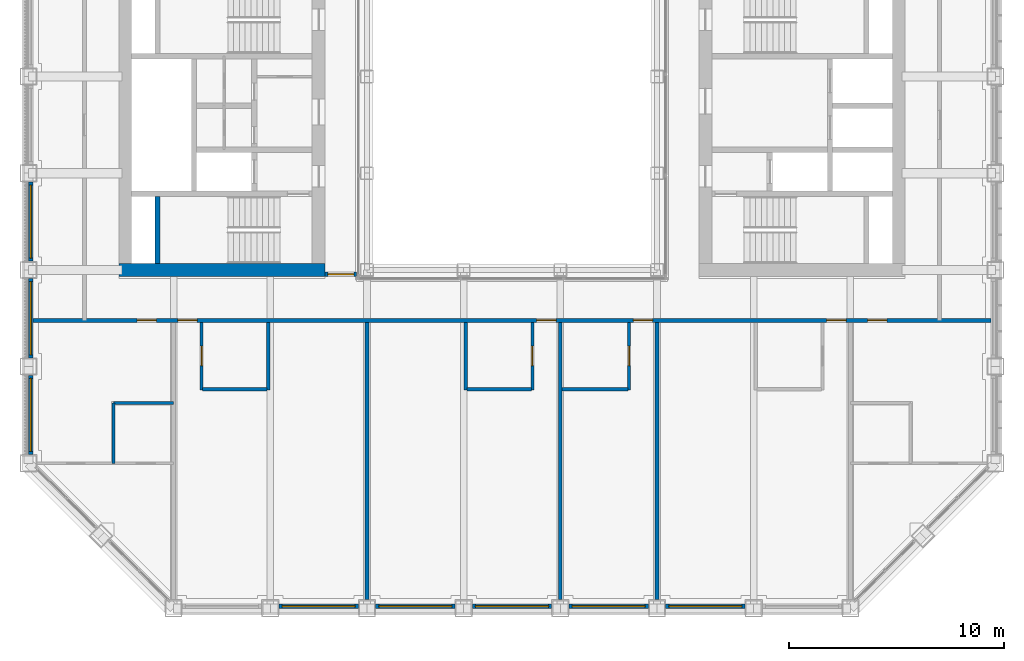
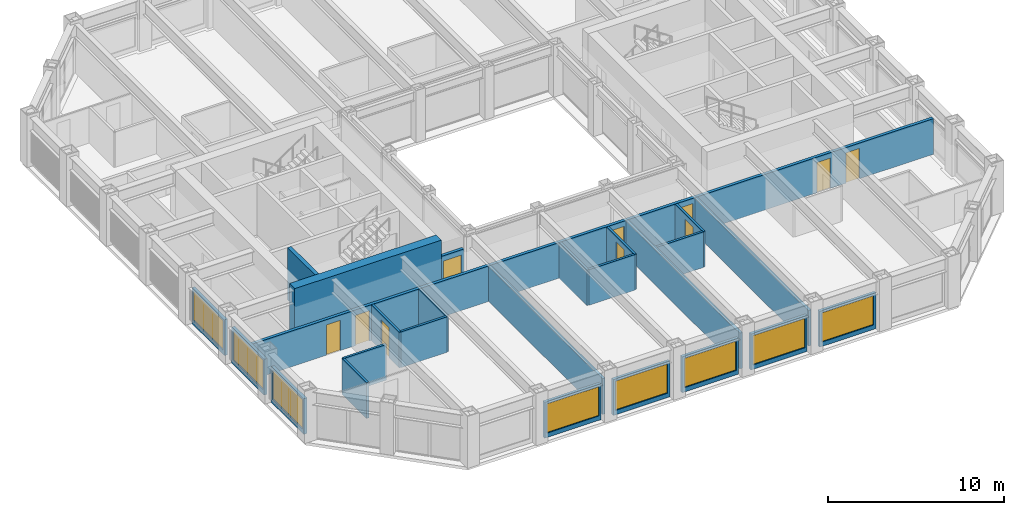
# One storey, part 10 of 17: 25 walls, 10 doors, 8 windows, 18 openings.
"""IFC4 building model written with IfcOpenShell, lengths in metres."""

from ifc_helpers import new_model, si_unit, direction, frame, frame_2d, origin, place, context, subcontext, project, spatial, rectangle, extrude, material, layer, layer_set, type_object, element, fill, save


model = new_model("IFC4")

# Units and contexts
model_context = context("Model", 3, precision=1e-05, world=origin(), true_north=direction((0.0, 1.0)))
body_context = subcontext(model_context, "Body", "Model", "MODEL_VIEW")
ifc_project = project(units=[si_unit("LENGTHUNIT", "METRE"), si_unit("AREAUNIT", "SQUARE_METRE"), si_unit("VOLUMEUNIT", "CUBIC_METRE"), si_unit("PLANEANGLEUNIT", "RADIAN"), si_unit("MASSUNIT", "GRAM", prefix="KILO")], contexts=[model_context])

# Site, building, storey
site_placement = place(None, origin())
site = spatial("IfcSite", under=ifc_project, at=site_placement, CompositionType="ELEMENT")
building_placement = place(site_placement, origin())
building = spatial("IfcBuilding", under=site, at=building_placement, Name="Msasa Ring Tower", CompositionType="ELEMENT")
storey_placement = place(building_placement, frame((0.0, 0.0, 161.60009765625)))
storey = spatial("IfcBuildingStorey", under=building, at=storey_placement, Name="L42", CompositionType="ELEMENT", Elevation=161.60009765625)

# Walls
ifc_material_1 = material(Name="Concrete C60/75", Category="concrete")
ifc_layer_1 = layer(ifc_material_1, 0.60009765625)
ifc_layer_set_1 = layer_set([ifc_layer_1], Name="CW2 CORE WALL 600")
wall_type_1 = type_object("IfcWallType", Name="CW2 CORE WALL 600", PredefinedType="SHEAR", material=ifc_layer_set_1)
wall_1_placement = place(storey_placement, frame((-8.699951171875, -6.75, 0.0), z_axis=(0.0, 0.0, 1.0), x_axis=(-1.0, 0.0, 0.0)))
element("IfcWall", 1, at=wall_1_placement, inside=storey, type_object=wall_type_1, Name="W core wall S L42", PredefinedType="SHEAR", context=body_context, shape_type="SweptSolid", body=[
    extrude(rectangle(XDim=9.60009765625, YDim=0.60009765625, at=frame_2d((4.800048828125, 0.0))), origin(), (0.0, 0.0, 1.0), 3.599853515625),
])
ifc_material_2 = material(Name="Concrete C60/75", Category="concrete")
ifc_layer_2 = layer(ifc_material_2, 0.25)
ifc_layer_set_2 = layer_set([ifc_layer_2], Name="CW4 CORE INNER WALL 250")
wall_type_2 = type_object("IfcWallType", Name="CW4 CORE INNER WALL 250", PredefinedType="SHEAR", material=ifc_layer_set_2)
wall_2_placement = place(storey_placement, frame((-16.5, -6.449951171875, 0.0), z_axis=(0.0, 0.0, 1.0), x_axis=(0.0, 1.0, 0.0)))
element("IfcWall", 2, at=wall_2_placement, inside=storey, type_object=wall_type_2, Name="W core wall RISERA L42", PredefinedType="SHEAR", context=body_context, shape_type="SweptSolid", body=[
    extrude(rectangle(XDim=3.125, YDim=0.25, at=frame_2d((1.5625, 0.0))), origin(), (0.0, 0.0, 1.0), 3.599853515625),
])

# Wall, opening, window
ifc_material_3 = material(Name="Terracotta rainscreen on blockwork", Category="masonry")
ifc_layer_3 = layer(ifc_material_3, 0.199951171875)
ifc_layer_set_3 = layer_set([ifc_layer_3], Name="FW1 TERRACOTTA-LINED INFILL BAY WALL 200")
wall_type_3 = type_object("IfcWallType", Name="FW1 TERRACOTTA-LINED INFILL BAY WALL 200", PredefinedType="SOLIDWALL", material=ifc_layer_set_3)
wall_3_placement = place(storey_placement, frame((-10.844970703125, -22.39990234375, 0.0), z_axis=(0.0, 0.0, 1.0), x_axis=(1.0, 0.0, 0.0)))
wall_3 = element("IfcWall", 3, at=wall_3_placement, inside=storey, type_object=wall_type_3, Name="Infill bay wall S L42 01", PredefinedType="SOLIDWALL", context=body_context, shape_type="SweptSolid", body=[
    extrude(rectangle(XDim=3.68994140625, YDim=0.199951171875, at=frame_2d((1.844970703125, 0.0))), origin(), (0.0, 0.0, 1.0), 2.47900390625),
])
opening_1_placement = place(wall_3_placement, frame((0.14501953125, 0.0, 0.300048828125)))
opening_1 = element("IfcOpeningElement", 4, at=opening_1_placement, cuts=wall_3, Name="Opening WN2", PredefinedType="OPENING", context=body_context, shape_type="SweptSolid", body=[
    extrude(rectangle(XDim=3.39990234375, YDim=2.029052734375, at=frame_2d((1.699951171875, 1.0146484375))), frame((0.0, 0.10986328125, 0.0), z_axis=(0.0, -1.0, 0.0), x_axis=(1.0, 0.0, 0.0)), (0.0, 0.0, 1.0), 0.219970703125),
])
ifc_material_4 = material(Name="Aluminium frame with clear glass", Category="aluminium")
window_type = type_object("IfcWindowType", Name="WN2 GUEST ROOM WINDOW 3400x2029", PartitioningType="SINGLE_PANEL", PredefinedType="WINDOW", material=ifc_material_4)
window_1_placement = place(opening_1_placement, origin())
window_1 = element("IfcWindow", 5, at=window_1_placement, inside=storey, type_object=window_type, Name="Window S L42 01", OverallHeight=2.029052734375, OverallWidth=3.39990234375, PartitioningType="SINGLE_PANEL", PredefinedType="WINDOW", context=body_context, shape_type="SweptSolid", body=[
    extrude(rectangle(XDim=3.39990234375, YDim=2.029052734375, at=frame_2d((1.699951171875, 1.0146484375))), frame((0.0, 0.030029296875, 0.0), z_axis=(0.0, -1.0, 0.0), x_axis=(1.0, 0.0, 0.0)), (0.0, 0.0, 1.0), 0.06005859375),
])
fill(opening_1, window_1)

wall_4_placement = place(storey_placement, frame((-6.344970703125, -22.39990234375, 0.0), z_axis=(0.0, 0.0, 1.0), x_axis=(1.0, 0.0, 0.0)))
wall_4 = element("IfcWall", 6, at=wall_4_placement, inside=storey, type_object=wall_type_3, Name="Infill bay wall S L42 02", PredefinedType="SOLIDWALL", context=body_context, shape_type="SweptSolid", body=[
    extrude(rectangle(XDim=3.68994140625, YDim=0.199951171875, at=frame_2d((1.844970703125, 0.0))), origin(), (0.0, 0.0, 1.0), 2.47900390625),
])
opening_2_placement = place(wall_4_placement, frame((0.14501953125, 0.0, 0.300048828125)))
opening_2 = element("IfcOpeningElement", 7, at=opening_2_placement, cuts=wall_4, Name="Opening WN2", PredefinedType="OPENING", context=body_context, shape_type="SweptSolid", body=[
    extrude(rectangle(XDim=3.39990234375, YDim=2.029052734375, at=frame_2d((1.699951171875, 1.0146484375))), frame((0.0, 0.10986328125, 0.0), z_axis=(0.0, -1.0, 0.0), x_axis=(1.0, 0.0, 0.0)), (0.0, 0.0, 1.0), 0.219970703125),
])
window_2_placement = place(opening_2_placement, origin())
window_2 = element("IfcWindow", 8, at=window_2_placement, inside=storey, type_object=window_type, Name="Window S L42 02", OverallHeight=2.029052734375, OverallWidth=3.39990234375, PartitioningType="SINGLE_PANEL", PredefinedType="WINDOW", context=body_context, shape_type="SweptSolid", body=[
    extrude(rectangle(XDim=3.39990234375, YDim=2.029052734375, at=frame_2d((1.699951171875, 1.0146484375))), frame((0.0, 0.030029296875, 0.0), z_axis=(0.0, -1.0, 0.0), x_axis=(1.0, 0.0, 0.0)), (0.0, 0.0, 1.0), 0.06005859375),
])
fill(opening_2, window_2)

wall_5_placement = place(storey_placement, frame((-1.844970703125, -22.39990234375, 0.0), z_axis=(0.0, 0.0, 1.0), x_axis=(1.0, 0.0, 0.0)))
wall_5 = element("IfcWall", 9, at=wall_5_placement, inside=storey, type_object=wall_type_3, Name="Infill bay wall S L42 03", PredefinedType="SOLIDWALL", context=body_context, shape_type="SweptSolid", body=[
    extrude(rectangle(XDim=3.68994140625, YDim=0.199951171875, at=frame_2d((1.844970703125, 0.0))), origin(), (0.0, 0.0, 1.0), 2.47900390625),
])
opening_3_placement = place(wall_5_placement, frame((0.14501953125, 0.0, 0.300048828125)))
opening_3 = element("IfcOpeningElement", 10, at=opening_3_placement, cuts=wall_5, Name="Opening WN2", PredefinedType="OPENING", context=body_context, shape_type="SweptSolid", body=[
    extrude(rectangle(XDim=3.39990234375, YDim=2.029052734375, at=frame_2d((1.699951171875, 1.0146484375))), frame((0.0, 0.10986328125, 0.0), z_axis=(0.0, -1.0, 0.0), x_axis=(1.0, 0.0, 0.0)), (0.0, 0.0, 1.0), 0.219970703125),
])
window_3_placement = place(opening_3_placement, origin())
window_3 = element("IfcWindow", 11, at=window_3_placement, inside=storey, type_object=window_type, Name="Window S L42 03", OverallHeight=2.029052734375, OverallWidth=3.39990234375, PartitioningType="SINGLE_PANEL", PredefinedType="WINDOW", context=body_context, shape_type="SweptSolid", body=[
    extrude(rectangle(XDim=3.39990234375, YDim=2.029052734375, at=frame_2d((1.699951171875, 1.0146484375))), frame((0.0, 0.030029296875, 0.0), z_axis=(0.0, -1.0, 0.0), x_axis=(1.0, 0.0, 0.0)), (0.0, 0.0, 1.0), 0.06005859375),
])
fill(opening_3, window_3)

wall_6_placement = place(storey_placement, frame((2.655029296875, -22.39990234375, 0.0), z_axis=(0.0, 0.0, 1.0), x_axis=(1.0, 0.0, 0.0)))
wall_6 = element("IfcWall", 12, at=wall_6_placement, inside=storey, type_object=wall_type_3, Name="Infill bay wall S L42 04", PredefinedType="SOLIDWALL", context=body_context, shape_type="SweptSolid", body=[
    extrude(rectangle(XDim=3.68994140625, YDim=0.199951171875, at=frame_2d((1.844970703125, 0.0))), origin(), (0.0, 0.0, 1.0), 2.47900390625),
])
opening_4_placement = place(wall_6_placement, frame((0.14501953125, 0.0, 0.300048828125)))
opening_4 = element("IfcOpeningElement", 13, at=opening_4_placement, cuts=wall_6, Name="Opening WN2", PredefinedType="OPENING", context=body_context, shape_type="SweptSolid", body=[
    extrude(rectangle(XDim=3.39990234375, YDim=2.029052734375, at=frame_2d((1.699951171875, 1.0146484375))), frame((0.0, 0.10986328125, 0.0), z_axis=(0.0, -1.0, 0.0), x_axis=(1.0, 0.0, 0.0)), (0.0, 0.0, 1.0), 0.219970703125),
])
window_4_placement = place(opening_4_placement, origin())
window_4 = element("IfcWindow", 14, at=window_4_placement, inside=storey, type_object=window_type, Name="Window S L42 04", OverallHeight=2.029052734375, OverallWidth=3.39990234375, PartitioningType="SINGLE_PANEL", PredefinedType="WINDOW", context=body_context, shape_type="SweptSolid", body=[
    extrude(rectangle(XDim=3.39990234375, YDim=2.029052734375, at=frame_2d((1.699951171875, 1.0146484375))), frame((0.0, 0.030029296875, 0.0), z_axis=(0.0, -1.0, 0.0), x_axis=(1.0, 0.0, 0.0)), (0.0, 0.0, 1.0), 0.06005859375),
])
fill(opening_4, window_4)

wall_7_placement = place(storey_placement, frame((7.155029296875, -22.39990234375, 0.0), z_axis=(0.0, 0.0, 1.0), x_axis=(1.0, 0.0, 0.0)))
wall_7 = element("IfcWall", 15, at=wall_7_placement, inside=storey, type_object=wall_type_3, Name="Infill bay wall S L42 05", PredefinedType="SOLIDWALL", context=body_context, shape_type="SweptSolid", body=[
    extrude(rectangle(XDim=3.68994140625, YDim=0.199951171875, at=frame_2d((1.844970703125, 0.0))), origin(), (0.0, 0.0, 1.0), 2.47900390625),
])
opening_5_placement = place(wall_7_placement, frame((0.14501953125, 0.0, 0.300048828125)))
opening_5 = element("IfcOpeningElement", 16, at=opening_5_placement, cuts=wall_7, Name="Opening WN2", PredefinedType="OPENING", context=body_context, shape_type="SweptSolid", body=[
    extrude(rectangle(XDim=3.39990234375, YDim=2.029052734375, at=frame_2d((1.699951171875, 1.0146484375))), frame((0.0, 0.10986328125, 0.0), z_axis=(0.0, -1.0, 0.0), x_axis=(1.0, 0.0, 0.0)), (0.0, 0.0, 1.0), 0.219970703125),
])
window_5_placement = place(opening_5_placement, origin())
window_5 = element("IfcWindow", 17, at=window_5_placement, inside=storey, type_object=window_type, Name="Window S L42 05", OverallHeight=2.029052734375, OverallWidth=3.39990234375, PartitioningType="SINGLE_PANEL", PredefinedType="WINDOW", context=body_context, shape_type="SweptSolid", body=[
    extrude(rectangle(XDim=3.39990234375, YDim=2.029052734375, at=frame_2d((1.699951171875, 1.0146484375))), frame((0.0, 0.030029296875, 0.0), z_axis=(0.0, -1.0, 0.0), x_axis=(1.0, 0.0, 0.0)), (0.0, 0.0, 1.0), 0.06005859375),
])
fill(opening_5, window_5)

wall_8_placement = place(storey_placement, frame((-22.39990234375, -15.344970703125, 0.0), z_axis=(0.0, 0.0, 1.0), x_axis=(0.0, 1.0, 0.0)))
wall_8 = element("IfcWall", 18, at=wall_8_placement, inside=storey, type_object=wall_type_3, Name="Infill bay wall W L42 27", PredefinedType="SOLIDWALL", context=body_context, shape_type="SweptSolid", body=[
    extrude(rectangle(XDim=3.68994140625, YDim=0.199951171875, at=frame_2d((1.844970703125, 0.0))), origin(), (0.0, 0.0, 1.0), 2.47900390625),
])
opening_6_placement = place(wall_8_placement, frame((0.14501953125, 0.0, 0.300048828125)))
opening_6 = element("IfcOpeningElement", 19, at=opening_6_placement, cuts=wall_8, Name="Opening WN2", PredefinedType="OPENING", context=body_context, shape_type="SweptSolid", body=[
    extrude(rectangle(XDim=3.39990234375, YDim=2.029052734375, at=frame_2d((1.699951171875, 1.0146484375))), frame((0.0, 0.10986328125, 0.0), z_axis=(0.0, -1.0, 0.0), x_axis=(1.0, 0.0, 0.0)), (0.0, 0.0, 1.0), 0.219970703125),
])
window_6_placement = place(opening_6_placement, origin())
window_6 = element("IfcWindow", 20, at=window_6_placement, inside=storey, type_object=window_type, Name="Window W L42 27", OverallHeight=2.029052734375, OverallWidth=3.39990234375, PartitioningType="SINGLE_PANEL", PredefinedType="WINDOW", context=body_context, shape_type="SweptSolid", body=[
    extrude(rectangle(XDim=3.39990234375, YDim=2.029052734375, at=frame_2d((1.699951171875, 1.0146484375))), frame((0.0, 0.030029296875, 0.0), z_axis=(0.0, -1.0, 0.0), x_axis=(1.0, 0.0, 0.0)), (0.0, 0.0, 1.0), 0.06005859375),
])
fill(opening_6, window_6)

wall_9_placement = place(storey_placement, frame((-22.39990234375, -10.844970703125, 0.0), z_axis=(0.0, 0.0, 1.0), x_axis=(0.0, 1.0, 0.0)))
wall_9 = element("IfcWall", 21, at=wall_9_placement, inside=storey, type_object=wall_type_3, Name="Infill bay wall W L42 28", PredefinedType="SOLIDWALL", context=body_context, shape_type="SweptSolid", body=[
    extrude(rectangle(XDim=3.68994140625, YDim=0.199951171875, at=frame_2d((1.844970703125, 0.0))), origin(), (0.0, 0.0, 1.0), 2.47900390625),
])
opening_7_placement = place(wall_9_placement, frame((0.14501953125, 0.0, 0.300048828125)))
opening_7 = element("IfcOpeningElement", 22, at=opening_7_placement, cuts=wall_9, Name="Opening WN2", PredefinedType="OPENING", context=body_context, shape_type="SweptSolid", body=[
    extrude(rectangle(XDim=3.39990234375, YDim=2.029052734375, at=frame_2d((1.699951171875, 1.0146484375))), frame((0.0, 0.10986328125, 0.0), z_axis=(0.0, -1.0, 0.0), x_axis=(1.0, 0.0, 0.0)), (0.0, 0.0, 1.0), 0.219970703125),
])
window_7_placement = place(opening_7_placement, origin())
window_7 = element("IfcWindow", 23, at=window_7_placement, inside=storey, type_object=window_type, Name="Window W L42 28", OverallHeight=2.029052734375, OverallWidth=3.39990234375, PartitioningType="SINGLE_PANEL", PredefinedType="WINDOW", context=body_context, shape_type="SweptSolid", body=[
    extrude(rectangle(XDim=3.39990234375, YDim=2.029052734375, at=frame_2d((1.699951171875, 1.0146484375))), frame((0.0, 0.030029296875, 0.0), z_axis=(0.0, -1.0, 0.0), x_axis=(1.0, 0.0, 0.0)), (0.0, 0.0, 1.0), 0.06005859375),
])
fill(opening_7, window_7)

wall_10_placement = place(storey_placement, frame((-22.39990234375, -6.344970703125, 0.0), z_axis=(0.0, 0.0, 1.0), x_axis=(0.0, 1.0, 0.0)))
wall_10 = element("IfcWall", 24, at=wall_10_placement, inside=storey, type_object=wall_type_3, Name="Infill bay wall W L42 29", PredefinedType="SOLIDWALL", context=body_context, shape_type="SweptSolid", body=[
    extrude(rectangle(XDim=3.68994140625, YDim=0.199951171875, at=frame_2d((1.844970703125, 0.0))), origin(), (0.0, 0.0, 1.0), 2.47900390625),
])
opening_8_placement = place(wall_10_placement, frame((0.14501953125, 0.0, 0.300048828125)))
opening_8 = element("IfcOpeningElement", 25, at=opening_8_placement, cuts=wall_10, Name="Opening WN2", PredefinedType="OPENING", context=body_context, shape_type="SweptSolid", body=[
    extrude(rectangle(XDim=3.39990234375, YDim=2.029052734375, at=frame_2d((1.699951171875, 1.0146484375))), frame((0.0, 0.10986328125, 0.0), z_axis=(0.0, -1.0, 0.0), x_axis=(1.0, 0.0, 0.0)), (0.0, 0.0, 1.0), 0.219970703125),
])
window_8_placement = place(opening_8_placement, origin())
window_8 = element("IfcWindow", 26, at=window_8_placement, inside=storey, type_object=window_type, Name="Window W L42 29", OverallHeight=2.029052734375, OverallWidth=3.39990234375, PartitioningType="SINGLE_PANEL", PredefinedType="WINDOW", context=body_context, shape_type="SweptSolid", body=[
    extrude(rectangle(XDim=3.39990234375, YDim=2.029052734375, at=frame_2d((1.699951171875, 1.0146484375))), frame((0.0, 0.030029296875, 0.0), z_axis=(0.0, -1.0, 0.0), x_axis=(1.0, 0.0, 0.0)), (0.0, 0.0, 1.0), 0.06005859375),
])
fill(opening_8, window_8)

# Wall, opening, door
ifc_material_5 = material(Name="Concrete blockwork", Category="masonry")
ifc_layer_4 = layer(ifc_material_5, 0.199951171875)
ifc_layer_set_4 = layer_set([ifc_layer_4], Name="PT1 CORRIDOR WALL 200")
wall_type_4 = type_object("IfcWallType", Name="PT1 CORRIDOR WALL 200", PredefinedType="PARTITIONING", material=ifc_layer_set_4)
wall_11_placement = place(storey_placement, frame((-8.699951171875, -6.949951171875, 0.0), z_axis=(0.0, 0.0, 1.0), x_axis=(1.0, 0.0, 0.0)))
wall_11 = element("IfcWall", 27, at=wall_11_placement, inside=storey, type_object=wall_type_4, Name="Corridor wall L42-SDWS", PredefinedType="PARTITIONING", context=body_context, shape_type="SweptSolid", body=[
    extrude(rectangle(XDim=1.469970703125, YDim=0.199951171875, at=frame_2d((0.73486328125, 0.0))), origin(), (0.0, 0.0, 1.0), 2.473388671875),
])
opening_9_placement = place(wall_11_placement, frame((0.135009765625, 0.0, 0.0)))
opening_9 = element("IfcOpeningElement", 28, at=opening_9_placement, cuts=wall_11, Name="Opening HE-031", PredefinedType="OPENING", context=body_context, shape_type="SweptSolid", body=[
    extrude(rectangle(XDim=1.199951171875, YDim=2.10009765625, at=frame_2d((0.60009765625, 1.050048828125))), frame((0.0, 0.10986328125, 0.0), z_axis=(0.0, -1.0, 0.0), x_axis=(1.0, 0.0, 0.0)), (0.0, 0.0, 1.0), 0.219970703125),
])
ifc_material_6 = material(Name="Timber door leaf in a steel frame", Category="steel")
door_type_1 = type_object("IfcDoorType", Name="D25 CORRIDOR PAIR OF SMOKE DOORS 1200x2100", OperationType="DOUBLE_DOOR_DOUBLE_SWING", PredefinedType="DOOR", material=ifc_material_6)
door_1_placement = place(opening_9_placement, origin())
door_1 = element("IfcDoor", 29, at=door_1_placement, inside=storey, type_object=door_type_1, Name="Door L42-SDWS", OperationType="DOUBLE_DOOR_DOUBLE_SWING", OverallHeight=2.10009765625, OverallWidth=1.199951171875, PredefinedType="DOOR", context=body_context, shape_type="SweptSolid", body=[
    extrude(rectangle(XDim=1.199951171875, YDim=2.10009765625, at=frame_2d((0.60009765625, 1.050048828125))), frame((0.0, 0.02490234375, 0.0), z_axis=(0.0, -1.0, 0.0), x_axis=(1.0, 0.0, 0.0)), (0.0, 0.0, 1.0), 0.050048828125),
])
fill(opening_9, door_1)

# Wall, openings, doors
wall_12_placement = place(storey_placement, frame((-22.300048828125, -9.10009765625, 0.0), z_axis=(0.0, 0.0, 1.0), x_axis=(1.0, 0.0, 0.0)))
wall_12 = element("IfcWall", 30, at=wall_12_placement, inside=storey, type_object=wall_type_4, Name="Corridor wall L42-CORRS0", PredefinedType="PARTITIONING", context=body_context, shape_type="SweptSolid", body=[
    extrude(rectangle(XDim=44.60009765625, YDim=0.199951171875, at=frame_2d((22.300048828125, 0.0))), origin(), (0.0, 0.0, 1.0), 2.473388671875),
])
opening_10_placement = place(wall_12_placement, frame((6.75, 0.0, 0.0)))
opening_10 = element("IfcOpeningElement", 31, at=opening_10_placement, cuts=wall_12, Name="Opening HE-033", PredefinedType="OPENING", context=body_context, shape_type="SweptSolid", body=[
    extrude(rectangle(XDim=0.89990234375, YDim=2.10009765625, at=frame_2d((0.449951171875, 1.050048828125))), frame((0.0, 0.10986328125, 0.0), z_axis=(0.0, -1.0, 0.0), x_axis=(1.0, 0.0, 0.0)), (0.0, 0.0, 1.0), 0.219970703125),
])
opening_11_placement = place(wall_12_placement, frame((23.449951171875, 0.0, 0.0)))
opening_11 = element("IfcOpeningElement", 32, at=opening_11_placement, cuts=wall_12, Name="Opening HE-034", PredefinedType="OPENING", context=body_context, shape_type="SweptSolid", body=[
    extrude(rectangle(XDim=0.89990234375, YDim=2.10009765625, at=frame_2d((0.449951171875, 1.050048828125))), frame((0.0, 0.10986328125, 0.0), z_axis=(0.0, -1.0, 0.0), x_axis=(1.0, 0.0, 0.0)), (0.0, 0.0, 1.0), 0.219970703125),
])
opening_12_placement = place(wall_12_placement, frame((27.949951171875, 0.0, 0.0)))
opening_12 = element("IfcOpeningElement", 33, at=opening_12_placement, cuts=wall_12, Name="Opening HE-035", PredefinedType="OPENING", context=body_context, shape_type="SweptSolid", body=[
    extrude(rectangle(XDim=0.89990234375, YDim=2.10009765625, at=frame_2d((0.449951171875, 1.050048828125))), frame((0.0, 0.10986328125, 0.0), z_axis=(0.0, -1.0, 0.0), x_axis=(1.0, 0.0, 0.0)), (0.0, 0.0, 1.0), 0.219970703125),
])
opening_13_placement = place(wall_12_placement, frame((36.949951171875, 0.0, 0.0)))
opening_13 = element("IfcOpeningElement", 34, at=opening_13_placement, cuts=wall_12, Name="Opening HE-036", PredefinedType="OPENING", context=body_context, shape_type="SweptSolid", body=[
    extrude(rectangle(XDim=0.89990234375, YDim=2.10009765625, at=frame_2d((0.449951171875, 1.050048828125))), frame((0.0, 0.10986328125, 0.0), z_axis=(0.0, -1.0, 0.0), x_axis=(1.0, 0.0, 0.0)), (0.0, 0.0, 1.0), 0.219970703125),
])
opening_14_placement = place(wall_12_placement, frame((38.85009765625, 0.0, 0.0)))
opening_14 = element("IfcOpeningElement", 35, at=opening_14_placement, cuts=wall_12, Name="Opening HE-037", PredefinedType="OPENING", context=body_context, shape_type="SweptSolid", body=[
    extrude(rectangle(XDim=0.89990234375, YDim=2.10009765625, at=frame_2d((0.449951171875, 1.050048828125))), frame((0.0, 0.10986328125, 0.0), z_axis=(0.0, -1.0, 0.0), x_axis=(1.0, 0.0, 0.0)), (0.0, 0.0, 1.0), 0.219970703125),
])
opening_15_placement = place(wall_12_placement, frame((4.85009765625, 0.0, 0.0)))
opening_15 = element("IfcOpeningElement", 36, at=opening_15_placement, cuts=wall_12, Name="Opening HE-032", PredefinedType="OPENING", context=body_context, shape_type="SweptSolid", body=[
    extrude(rectangle(XDim=0.89990234375, YDim=2.10009765625, at=frame_2d((0.449951171875, 1.050048828125))), frame((0.0, 0.10986328125, 0.0), z_axis=(0.0, -1.0, 0.0), x_axis=(1.0, 0.0, 0.0)), (0.0, 0.0, 1.0), 0.219970703125),
])
ifc_material_7 = material(Name="Timber door leaf in a steel frame", Category="steel")
door_type_2 = type_object("IfcDoorType", Name="D1 SINGLE DOOR TO CORRIDOR 900x2100", OperationType="SINGLE_SWING_LEFT", PredefinedType="DOOR", material=ifc_material_7)
door_2_placement = place(opening_10_placement, origin())
door_2 = element("IfcDoor", 37, at=door_2_placement, inside=storey, type_object=door_type_2, Name="Door L42-GS00", OperationType="SINGLE_SWING_LEFT", OverallHeight=2.10009765625, OverallWidth=0.89990234375, PredefinedType="DOOR", context=body_context, shape_type="SweptSolid", body=[
    extrude(rectangle(XDim=0.89990234375, YDim=2.10009765625, at=frame_2d((0.449951171875, 1.050048828125))), frame((0.0, 0.02490234375, 0.0), z_axis=(0.0, -1.0, 0.0), x_axis=(1.0, 0.0, 0.0)), (0.0, 0.0, 1.0), 0.050048828125),
])
fill(opening_10, door_2)
door_3_placement = place(opening_11_placement, origin())
door_3 = element("IfcDoor", 38, at=door_3_placement, inside=storey, type_object=door_type_2, Name="Door L42-GS01", OperationType="SINGLE_SWING_RIGHT", OverallHeight=2.10009765625, OverallWidth=0.89990234375, PredefinedType="DOOR", context=body_context, shape_type="SweptSolid", body=[
    extrude(rectangle(XDim=0.89990234375, YDim=2.10009765625, at=frame_2d((0.449951171875, 1.050048828125))), frame((0.0, 0.02490234375, 0.0), z_axis=(0.0, -1.0, 0.0), x_axis=(1.0, 0.0, 0.0)), (0.0, 0.0, 1.0), 0.050048828125),
])
fill(opening_11, door_3)
door_4_placement = place(opening_12_placement, origin())
door_4 = element("IfcDoor", 39, at=door_4_placement, inside=storey, type_object=door_type_2, Name="Door L42-GS02", OperationType="SINGLE_SWING_RIGHT", OverallHeight=2.10009765625, OverallWidth=0.89990234375, PredefinedType="DOOR", context=body_context, shape_type="SweptSolid", body=[
    extrude(rectangle(XDim=0.89990234375, YDim=2.10009765625, at=frame_2d((0.449951171875, 1.050048828125))), frame((0.0, 0.02490234375, 0.0), z_axis=(0.0, -1.0, 0.0), x_axis=(1.0, 0.0, 0.0)), (0.0, 0.0, 1.0), 0.050048828125),
])
fill(opening_12, door_4)
door_5_placement = place(opening_13_placement, origin())
door_5 = element("IfcDoor", 40, at=door_5_placement, inside=storey, type_object=door_type_2, Name="Door L42-GS03", OperationType="SINGLE_SWING_RIGHT", OverallHeight=2.10009765625, OverallWidth=0.89990234375, PredefinedType="DOOR", context=body_context, shape_type="SweptSolid", body=[
    extrude(rectangle(XDim=0.89990234375, YDim=2.10009765625, at=frame_2d((0.449951171875, 1.050048828125))), frame((0.0, 0.02490234375, 0.0), z_axis=(0.0, -1.0, 0.0), x_axis=(1.0, 0.0, 0.0)), (0.0, 0.0, 1.0), 0.050048828125),
])
fill(opening_13, door_5)
ifc_material_8 = material(Name="Timber door leaf in a steel frame", Category="steel")
door_type_3 = type_object("IfcDoorType", Name="D2 ENTRANCE DOOR 900x2100", OperationType="SINGLE_SWING_LEFT", PredefinedType="DOOR", material=ifc_material_8)
door_6_placement = place(opening_14_placement, origin())
door_6 = element("IfcDoor", 41, at=door_6_placement, inside=storey, type_object=door_type_3, Name="Door L42-CSSE", OperationType="SINGLE_SWING_RIGHT", OverallHeight=2.10009765625, OverallWidth=0.89990234375, PredefinedType="DOOR", context=body_context, shape_type="SweptSolid", body=[
    extrude(rectangle(XDim=0.89990234375, YDim=2.10009765625, at=frame_2d((0.449951171875, 1.050048828125))), frame((0.0, 0.02490234375, 0.0), z_axis=(0.0, -1.0, 0.0), x_axis=(1.0, 0.0, 0.0)), (0.0, 0.0, 1.0), 0.050048828125),
])
fill(opening_14, door_6)
door_7_placement = place(opening_15_placement, origin())
door_7 = element("IfcDoor", 42, at=door_7_placement, inside=storey, type_object=door_type_3, Name="Door L42-CSSW", OperationType="SINGLE_SWING_LEFT", OverallHeight=2.10009765625, OverallWidth=0.89990234375, PredefinedType="DOOR", context=body_context, shape_type="SweptSolid", body=[
    extrude(rectangle(XDim=0.89990234375, YDim=2.10009765625, at=frame_2d((0.449951171875, 1.050048828125))), frame((0.0, 0.02490234375, 0.0), z_axis=(0.0, -1.0, 0.0), x_axis=(1.0, 0.0, 0.0)), (0.0, 0.0, 1.0), 0.050048828125),
])
fill(opening_15, door_7)

# Wall, opening, door
ifc_material_9 = material(Name="Moisture-resistant board on steel studs with a concealed cistern and pipe void, tiled", Category="steel")
ifc_layer_5 = layer(ifc_material_9, 0.14990234375)
ifc_layer_set_5 = layer_set([ifc_layer_5], Name="PT4 BATHROOM WET WALL 150")
wall_type_5 = type_object("IfcWallType", Name="PT4 BATHROOM WET WALL 150", PredefinedType="PARTITIONING", material=ifc_layer_set_5)
wall_13_placement = place(storey_placement, frame((-14.449951171875, -12.35009765625, 0.0), z_axis=(0.0, 0.0, 1.0), x_axis=(0.0, 1.0, 0.0)))
wall_13 = element("IfcWall", 43, at=wall_13_placement, inside=storey, type_object=wall_type_5, Name="Partition L42-GS00BX", PredefinedType="PARTITIONING", context=body_context, shape_type="SweptSolid", body=[
    extrude(rectangle(XDim=3.150146484375, YDim=0.14990234375, at=frame_2d((1.5751953125, 0.0))), origin(), (0.0, 0.0, 1.0), 2.473388671875),
])
opening_16_placement = place(wall_13_placement, frame((1.14990234375, 0.0, 0.0)))
opening_16 = element("IfcOpeningElement", 44, at=opening_16_placement, cuts=wall_13, Name="Opening HE-038", PredefinedType="OPENING", context=body_context, shape_type="SweptSolid", body=[
    extrude(rectangle(XDim=0.89990234375, YDim=2.10009765625, at=frame_2d((0.449951171875, 1.050048828125))), frame((0.0, 0.0849609375, 0.0), z_axis=(0.0, -1.0, 0.0), x_axis=(1.0, 0.0, 0.0)), (0.0, 0.0, 1.0), 0.169921875),
])
ifc_material_10 = material(Name="Timber door leaf in a steel frame", Category="steel")
door_type_4 = type_object("IfcDoorType", Name="D3 BATHROOM DOOR 900x2100", OperationType="SINGLE_SWING_LEFT", PredefinedType="DOOR", material=ifc_material_10)
door_8_placement = place(opening_16_placement, origin())
door_8 = element("IfcDoor", 45, at=door_8_placement, inside=storey, type_object=door_type_4, Name="Door L42-GS00B", OperationType="SINGLE_SWING_LEFT", OverallHeight=2.10009765625, OverallWidth=0.89990234375, PredefinedType="DOOR", context=body_context, shape_type="SweptSolid", body=[
    extrude(rectangle(XDim=0.89990234375, YDim=2.10009765625, at=frame_2d((0.449951171875, 1.050048828125))), frame((0.0, 0.02490234375, 0.0), z_axis=(0.0, -1.0, 0.0), x_axis=(1.0, 0.0, 0.0)), (0.0, 0.0, 1.0), 0.050048828125),
])
fill(opening_16, door_8)

# Walls
wall_14_placement = place(storey_placement, frame((-11.35009765625, -12.35009765625, 0.0), z_axis=(0.0, 0.0, 1.0), x_axis=(0.0, 1.0, 0.0)))
element("IfcWall", 46, at=wall_14_placement, inside=storey, type_object=wall_type_5, Name="Partition L42-GS00BF", PredefinedType="PARTITIONING", context=body_context, shape_type="SweptSolid", body=[
    extrude(rectangle(XDim=3.150146484375, YDim=0.14990234375, at=frame_2d((1.5751953125, 0.0))), origin(), (0.0, 0.0, 1.0), 2.473388671875),
])
wall_15_placement = place(storey_placement, frame((-14.39990234375, -12.300048828125, 0.0), z_axis=(0.0, 0.0, 1.0), x_axis=(1.0, 0.0, 0.0)))
element("IfcWall", 47, at=wall_15_placement, inside=storey, type_object=wall_type_5, Name="Partition L42-GS00BY", PredefinedType="PARTITIONING", context=body_context, shape_type="SweptSolid", body=[
    extrude(rectangle(XDim=3.0, YDim=0.14990234375, at=frame_2d((1.5, 0.0))), origin(), (0.0, 0.0, 1.0), 2.473388671875),
])

# Wall, opening, door
wall_16_placement = place(storey_placement, frame((0.949951171875, -12.35009765625, 0.0), z_axis=(0.0, 0.0, 1.0), x_axis=(0.0, 1.0, 0.0)))
wall_16 = element("IfcWall", 48, at=wall_16_placement, inside=storey, type_object=wall_type_5, Name="Partition L42-GS01BX", PredefinedType="PARTITIONING", context=body_context, shape_type="SweptSolid", body=[
    extrude(rectangle(XDim=3.150146484375, YDim=0.14990234375, at=frame_2d((1.5751953125, 0.0))), origin(), (0.0, 0.0, 1.0), 2.473388671875),
])
opening_17_placement = place(wall_16_placement, frame((1.14990234375, 0.0, 0.0)))
opening_17 = element("IfcOpeningElement", 49, at=opening_17_placement, cuts=wall_16, Name="Opening HE-039", PredefinedType="OPENING", context=body_context, shape_type="SweptSolid", body=[
    extrude(rectangle(XDim=0.89990234375, YDim=2.10009765625, at=frame_2d((0.449951171875, 1.050048828125))), frame((0.0, 0.0849609375, 0.0), z_axis=(0.0, -1.0, 0.0), x_axis=(1.0, 0.0, 0.0)), (0.0, 0.0, 1.0), 0.169921875),
])
door_9_placement = place(opening_17_placement, origin())
door_9 = element("IfcDoor", 50, at=door_9_placement, inside=storey, type_object=door_type_4, Name="Door L42-GS01B", OperationType="SINGLE_SWING_LEFT", OverallHeight=2.10009765625, OverallWidth=0.89990234375, PredefinedType="DOOR", context=body_context, shape_type="SweptSolid", body=[
    extrude(rectangle(XDim=0.89990234375, YDim=2.10009765625, at=frame_2d((0.449951171875, 1.050048828125))), frame((0.0, 0.02490234375, 0.0), z_axis=(0.0, -1.0, 0.0), x_axis=(1.0, 0.0, 0.0)), (0.0, 0.0, 1.0), 0.050048828125),
])
fill(opening_17, door_9)

# Walls
wall_17_placement = place(storey_placement, frame((-2.14990234375, -12.35009765625, 0.0), z_axis=(0.0, 0.0, 1.0), x_axis=(0.0, 1.0, 0.0)))
element("IfcWall", 51, at=wall_17_placement, inside=storey, type_object=wall_type_5, Name="Partition L42-GS01BF", PredefinedType="PARTITIONING", context=body_context, shape_type="SweptSolid", body=[
    extrude(rectangle(XDim=3.150146484375, YDim=0.14990234375, at=frame_2d((1.5751953125, 0.0))), origin(), (0.0, 0.0, 1.0), 2.473388671875),
])
wall_18_placement = place(storey_placement, frame((-2.10009765625, -12.300048828125, 0.0), z_axis=(0.0, 0.0, 1.0), x_axis=(1.0, 0.0, 0.0)))
element("IfcWall", 52, at=wall_18_placement, inside=storey, type_object=wall_type_5, Name="Partition L42-GS01BY", PredefinedType="PARTITIONING", context=body_context, shape_type="SweptSolid", body=[
    extrude(rectangle(XDim=3.0, YDim=0.14990234375, at=frame_2d((1.5, 0.0))), origin(), (0.0, 0.0, 1.0), 2.473388671875),
])

# Wall, opening, door
wall_19_placement = place(storey_placement, frame((5.449951171875, -12.35009765625, 0.0), z_axis=(0.0, 0.0, 1.0), x_axis=(0.0, 1.0, 0.0)))
wall_19 = element("IfcWall", 53, at=wall_19_placement, inside=storey, type_object=wall_type_5, Name="Partition L42-GS02BX", PredefinedType="PARTITIONING", context=body_context, shape_type="SweptSolid", body=[
    extrude(rectangle(XDim=3.150146484375, YDim=0.14990234375, at=frame_2d((1.5751953125, 0.0))), origin(), (0.0, 0.0, 1.0), 2.473388671875),
])
opening_18_placement = place(wall_19_placement, frame((1.14990234375, 0.0, 0.0)))
opening_18 = element("IfcOpeningElement", 54, at=opening_18_placement, cuts=wall_19, Name="Opening HE-040", PredefinedType="OPENING", context=body_context, shape_type="SweptSolid", body=[
    extrude(rectangle(XDim=0.89990234375, YDim=2.10009765625, at=frame_2d((0.449951171875, 1.050048828125))), frame((0.0, 0.0849609375, 0.0), z_axis=(0.0, -1.0, 0.0), x_axis=(1.0, 0.0, 0.0)), (0.0, 0.0, 1.0), 0.169921875),
])
door_10_placement = place(opening_18_placement, origin())
door_10 = element("IfcDoor", 55, at=door_10_placement, inside=storey, type_object=door_type_4, Name="Door L42-GS02B", OperationType="SINGLE_SWING_LEFT", OverallHeight=2.10009765625, OverallWidth=0.89990234375, PredefinedType="DOOR", context=body_context, shape_type="SweptSolid", body=[
    extrude(rectangle(XDim=0.89990234375, YDim=2.10009765625, at=frame_2d((0.449951171875, 1.050048828125))), frame((0.0, 0.02490234375, 0.0), z_axis=(0.0, -1.0, 0.0), x_axis=(1.0, 0.0, 0.0)), (0.0, 0.0, 1.0), 0.050048828125),
])
fill(opening_18, door_10)

# Walls
wall_20_placement = place(storey_placement, frame((2.33740234375, -12.300048828125, 0.0), z_axis=(0.0, 0.0, 1.0), x_axis=(1.0, 0.0, 0.0)))
element("IfcWall", 56, at=wall_20_placement, inside=storey, type_object=wall_type_5, Name="Partition L42-GS02BY", PredefinedType="PARTITIONING", context=body_context, shape_type="SweptSolid", body=[
    extrude(rectangle(XDim=3.0625, YDim=0.14990234375, at=frame_2d((1.53125, 0.0))), origin(), (0.0, 0.0, 1.0), 2.473388671875),
])
for number, where, z_axis, x_axis, name in (
    (57, (-18.550048828125, -15.75, 0.0), (0.0, 0.0, 1.0), (0.0, 1.0, 0.0), "Partition L42-CSSWBX"),
    (58, (-18.550048828125, -12.949951171875, 0.0), (0.0, 0.0, 1.0), (1.0, 0.0, 0.0), "Partition L42-CSSWBY"),
):
    element("IfcWall", number, at=place(storey_placement, frame(where, z_axis=z_axis, x_axis=x_axis)), inside=storey, type_object=wall_type_5, Name=name, PredefinedType="PARTITIONING", context=body_context, shape_type="SweptSolid", body=[
        extrude(rectangle(XDim=2.800048828125, YDim=0.14990234375, at=frame_2d((1.39990234375, 0.0))), origin(), (0.0, 0.0, 1.0), 2.473388671875),
    ])
ifc_material_11 = material(Name="Twin steel studs, two layers of acoustic board each face, mineral wool", Category="steel")
ifc_layer_6 = layer(ifc_material_11, 0.175048828125)
ifc_layer_set_6 = layer_set([ifc_layer_6], Name="PT5 GUEST ROOM SEPARATING WALL 175")
wall_type_6 = type_object("IfcWallType", Name="PT5 GUEST ROOM SEPARATING WALL 175", PredefinedType="PARTITIONING", material=ifc_layer_set_6)
for number, where, z_axis, x_axis, name in (
    (59, (-6.75, -22.10009765625, 0.0), (0.0, 0.0, 1.0), (0.0, 1.0, 0.0), "Partition L42-PWS-6.75"),
    (60, (2.25, -22.10009765625, 0.0), (0.0, 0.0, 1.0), (0.0, 1.0, 0.0), "Partition L42-PWS+2.25"),
    (61, (6.75, -22.10009765625, 0.0), (0.0, 0.0, 1.0), (0.0, 1.0, 0.0), "Partition L42-PWS+6.75"),
):
    element("IfcWall", number, at=place(storey_placement, frame(where, z_axis=z_axis, x_axis=x_axis)), inside=storey, type_object=wall_type_6, Name=name, PredefinedType="PARTITIONING", context=body_context, shape_type="SweptSolid", body=[
        extrude(rectangle(XDim=12.900146484375, YDim=0.175048828125, at=frame_2d((6.4501953125, 0.0))), origin(), (0.0, 0.0, 1.0), 2.473388671875),
    ])

save(model, "model.ifc")
